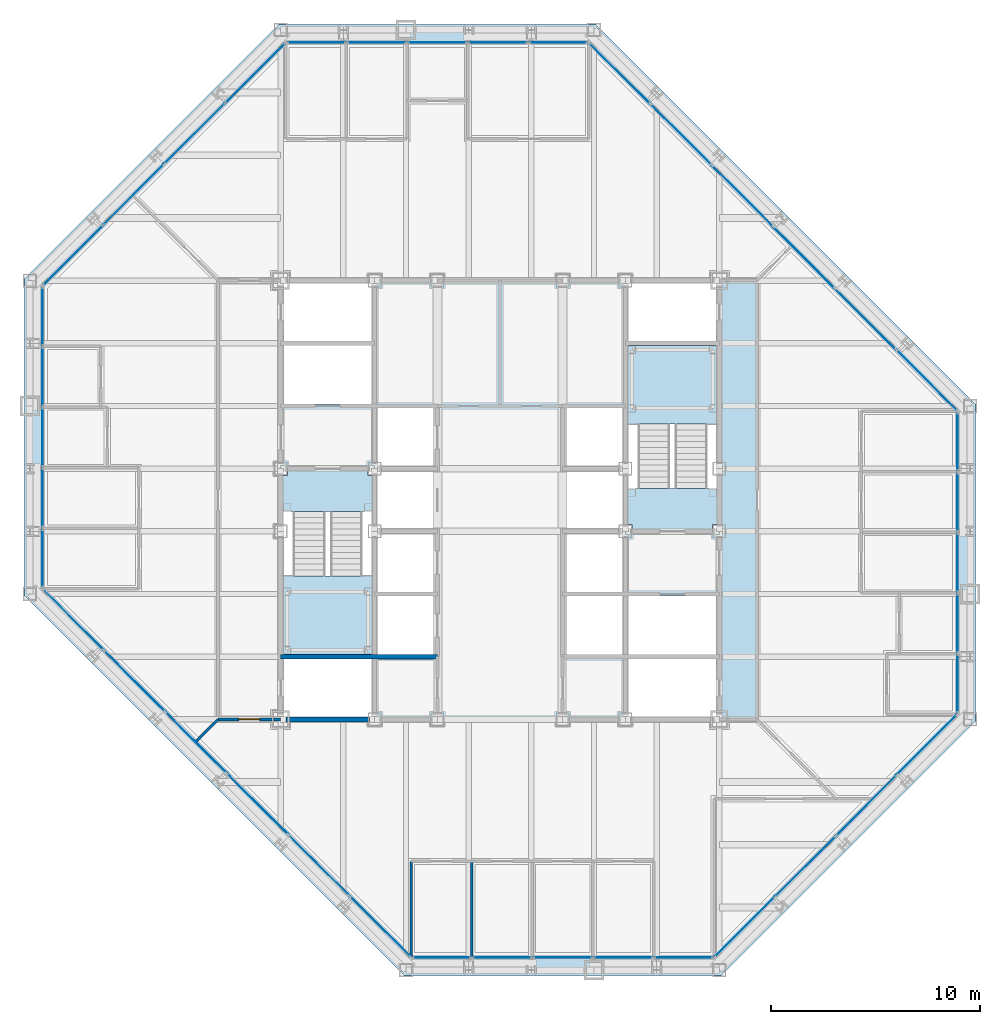
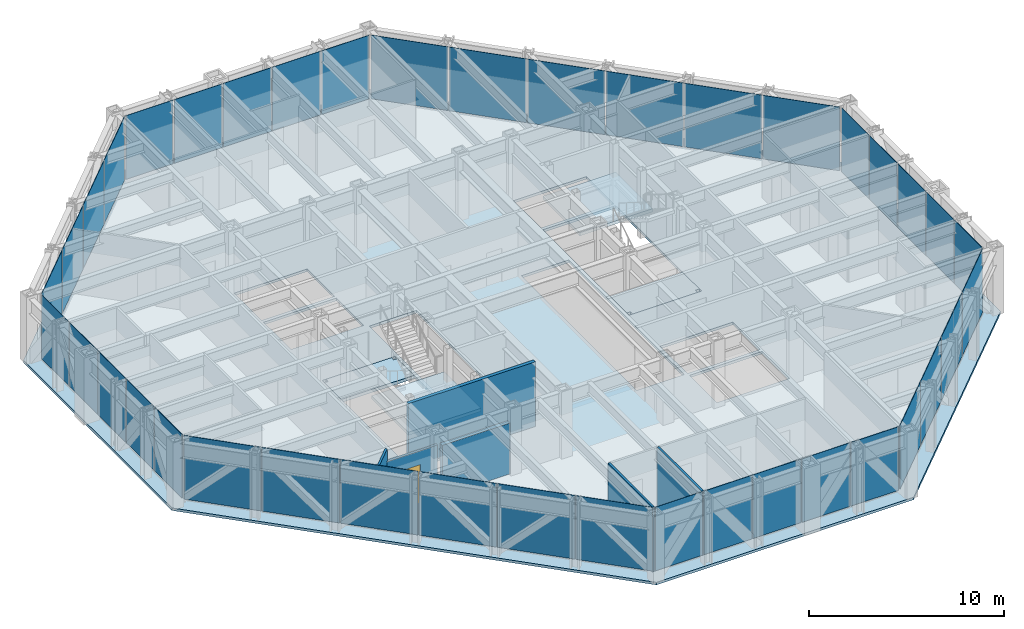
# One storey, part 9 of 15: 40 plates, 6 walls, 5 slabs, 1 door, 1 opening, 10 elements without a shape of their own.
"""IFC4 building model written with IfcOpenShell, lengths in metres."""

import ifcopenshell
import ifcopenshell.guid

model = None  # the IFC model being written
_history = None  # IfcOwnerHistory: only IFC2X3 demands one
_inside = {}  # id of a spatial element -> (the spatial element, [elements in it])
_under = {}  # id of a project, library or spatial element -> (it, [spatial elements below it])
_declared = {}  # id of a project -> (the project, [libraries it declares])
_typed = {}  # id of a type object -> (the type object, [elements of that type])
_made_of = {}  # id of a material, layer set ... -> (it, [elements and type objects made of it])


def new_model(schema):
    """Start an empty IFC model of exactly this schema.

    Asked for "IFC4X3", IfcOpenShell would pick the latest addendum, in which some entities
    have other attributes; the version numbers below select the first issue.
    IFC2X3 requires an IfcOwnerHistory on every rooted entity: one is made here for all.
    """
    global model, _history
    if schema == "IFC4X3":
        model = ifcopenshell.file(schema_version=(4, 3, 0, 0))
    else:
        model = ifcopenshell.file(schema=schema)
    _inside.clear()
    _under.clear()
    _declared.clear()
    _typed.clear()
    _made_of.clear()
    _history = None
    if model.schema == "IFC2X3":
        org = make("IfcOrganization", Name="unknown")
        user = make(
            "IfcPersonAndOrganization",
            ThePerson=make("IfcPerson", FamilyName="unknown"),
            TheOrganization=org,
        )
        app = make(
            "IfcApplication",
            ApplicationDeveloper=org,
            Version="unknown",
            ApplicationFullName="unknown",
            ApplicationIdentifier="unknown",
        )
        _history = make(
            "IfcOwnerHistory",
            OwningUser=user,
            OwningApplication=app,
            ChangeAction="ADDED",
            CreationDate=0,
        )
    return model


def make(cls, **values):
    """One entity of the class cls with the attributes given. An attribute that is None is left unset."""
    return model.create_entity(
        cls, **{name: value for name, value in values.items() if value is not None}
    )


def rooted(cls, **values):
    """An entity with a GlobalId (a new one), such as an element, a storey or a relation."""
    return make(cls, GlobalId=ifcopenshell.guid.new(), OwnerHistory=_history, **values)


def si_unit(unit_type, name, prefix=None):
    """IfcSIUnit, for example si_unit("LENGTHUNIT", "METRE", prefix="MILLI")."""
    return make("IfcSIUnit", UnitType=unit_type, Prefix=prefix, Name=name)


def assignment(units):
    """IfcUnitAssignment: the units of a project."""
    return None if units is None else make("IfcUnitAssignment", Units=units)


def point(xyz):
    """IfcCartesianPoint."""
    return None if xyz is None else make("IfcCartesianPoint", Coordinates=xyz)


def direction(xyz):
    """IfcDirection."""
    return None if xyz is None else make("IfcDirection", DirectionRatios=xyz)


def frame(location, z_axis=None, x_axis=None):
    """IfcAxis2Placement3D, a coordinate frame: its origin and axes. An axis left out is left unset."""
    return make(
        "IfcAxis2Placement3D",
        Location=point(location),
        Axis=direction(z_axis),
        RefDirection=direction(x_axis),
    )


def frame_2d(location, x_axis=None):
    """IfcAxis2Placement2D, a coordinate frame in the plane: its origin and x axis."""
    return make(
        "IfcAxis2Placement2D", Location=point(location), RefDirection=direction(x_axis)
    )


def origin():
    """The frame at (0, 0, 0) with its axes left unset."""
    return frame((0.0, 0.0, 0.0))


def origin_2d():
    """The frame at (0, 0) in the plane with its x axis left unset."""
    return frame_2d((0.0, 0.0))


def place(relative_to, where):
    """IfcLocalPlacement: puts the frame where relative to a parent placement (None: the world)."""
    return make(
        "IfcLocalPlacement", PlacementRelTo=relative_to, RelativePlacement=where
    )


def context(
    kind, dimensions, precision=None, world=None, true_north=None, identifier=None
):
    """IfcGeometricRepresentationContext, for example the 3D "Model" context."""
    return make(
        "IfcGeometricRepresentationContext",
        ContextIdentifier=identifier,
        ContextType=kind,
        CoordinateSpaceDimension=dimensions,
        Precision=precision,
        WorldCoordinateSystem=world,
        TrueNorth=true_north,
    )


def subcontext(parent, identifier, kind, view, scale=None):
    """IfcGeometricRepresentationSubContext, for example "Body" below "Model"."""
    return make(
        "IfcGeometricRepresentationSubContext",
        ContextIdentifier=identifier,
        ContextType=kind,
        ParentContext=parent,
        TargetScale=scale,
        TargetView=view,
    )


def project(units=None, contexts=None):
    """IfcProject with its units and contexts."""
    return rooted(
        "IfcProject",
        Name="project",
        RepresentationContexts=contexts,
        UnitsInContext=assignment(units),
    )


def spatial(cls, under=None, at=None, **own):
    """A site, building, storey or space (cls), placed at a placement, below another one or the project."""
    s = rooted(cls, ObjectPlacement=at, **own)
    if under is not None:
        _under.setdefault(under.id(), (under, []))[1].append(s)
    return s


def polyline(points):
    """IfcPolyline through the points."""
    return make("IfcPolyline", Points=[point(p) for p in points])


def profile(cls, at=None, kind="AREA", **sizes):
    """A parametric profile (cls). Its sizes go by their IFC names, for example OverallWidth=200.0."""
    return make(cls, ProfileType=kind, Position=at, **sizes)


def rectangle(**sizes):
    """IfcRectangleProfileDef."""
    return profile("IfcRectangleProfileDef", **sizes)


def outline(outer, holes=None, kind="AREA"):
    """IfcArbitraryClosedProfileDef: a profile drawn as a closed curve; with holes, ...WithVoids."""
    if holes is None:
        return make("IfcArbitraryClosedProfileDef", ProfileType=kind, OuterCurve=outer)
    return make(
        "IfcArbitraryProfileDefWithVoids",
        ProfileType=kind,
        OuterCurve=outer,
        InnerCurves=holes,
    )


def extrude(swept, where, along, depth):
    """IfcExtrudedAreaSolid: the profile swept, set in the frame where, extruded along a direction by depth."""
    return make(
        "IfcExtrudedAreaSolid",
        SweptArea=swept,
        Position=where,
        ExtrudedDirection=direction(along),
        Depth=depth,
    )


def shape(context_of_items, identifier, shape_type, items):
    """IfcShapeRepresentation: the items that make up one representation, for example the "Body"."""
    return make(
        "IfcShapeRepresentation",
        ContextOfItems=context_of_items,
        RepresentationIdentifier=identifier,
        RepresentationType=shape_type,
        Items=items,
    )


def material(Name=None, Category=None):
    """IfcMaterial."""
    return make("IfcMaterial", Name=Name, Category=Category)


def layer(
    of_material, thickness, ventilated=None, Name=None, Category=None, Priority=None
):
    """IfcMaterialLayer: one layer of a wall or slab, of a material (None: an air gap)."""
    return make(
        "IfcMaterialLayer",
        Material=of_material,
        LayerThickness=thickness,
        IsVentilated=ventilated,
        Name=Name,
        Category=Category,
        Priority=Priority,
    )


def layer_set(layers, Name=None):
    """IfcMaterialLayerSet."""
    return make("IfcMaterialLayerSet", MaterialLayers=layers, LayerSetName=Name)


def made_of(thing, what):
    """Note that an element or type object is made of a material, layer set ...; save() writes the relation."""
    if what is not None:
        _made_of.setdefault(what.id(), (what, []))[1].append(thing)
    return thing


def type_object(cls, material=None, **own):
    """A type object (cls), such as IfcWallType, which elements share."""
    return made_of(rooted(cls, **own), material)


def element(
    cls,
    number,
    at=None,
    inside=None,
    cuts=None,
    type_object=None,
    material=None,
    context=None,
    identifier="Body",
    shape_type=None,
    held_by="IfcProductDefinitionShape",
    body=None,
    shapes=None,
    **own,
):
    """One element of the class cls, such as IfcWall. Its Tag is "e" and its number.

    at: its placement. inside: the storey or other place that contains it. cuts: it is an
    opening in that element (IfcRelVoidsElement). A single representation is given by context,
    identifier, shape_type and body (its items); several are given by shapes. held_by: the class
    of the entity that holds the representations. save() writes the other relations.
    """
    e = rooted(cls, Tag="e%d" % number, ObjectPlacement=at, **own)
    if body is not None:
        shapes = [shape(context, identifier, shape_type, body)]
    if shapes is not None:
        e.Representation = make(held_by, Representations=shapes)
    if inside is not None:
        _inside.setdefault(inside.id(), (inside, []))[1].append(e)
    if cuts is not None:
        rooted(
            "IfcRelVoidsElement", RelatingBuildingElement=cuts, RelatedOpeningElement=e
        )
    if type_object is not None:
        _typed.setdefault(type_object.id(), (type_object, []))[1].append(e)
    return made_of(e, material)


def fill(opening, filler):
    """IfcRelFillsElement: the door or window that sits in an opening."""
    return rooted(
        "IfcRelFillsElement",
        RelatingOpeningElement=opening,
        RelatedBuildingElement=filler,
    )


def aggregate(whole, parts):
    """IfcRelAggregates: a whole, such as a stair, and the parts it consists of."""
    return rooted("IfcRelAggregates", RelatingObject=whole, RelatedObjects=parts)


def save(model, path):
    """Write the relations noted so far, then the file.

    IfcRelAggregates (storeys below a building ...), IfcRelContainedInSpatialStructure (elements
    in a storey), IfcRelDefinesByType, IfcRelAssociatesMaterial and IfcRelDeclares: one each for
    every whole, place, type object, material and project.
    """
    for whole, parts in _under.values():
        aggregate(whole, parts)
    for where, things in _inside.values():
        rooted(
            "IfcRelContainedInSpatialStructure",
            RelatedElements=things,
            RelatingStructure=where,
        )
    for kind, things in _typed.values():
        rooted("IfcRelDefinesByType", RelatedObjects=things, RelatingType=kind)
    for what, things in _made_of.values():
        rooted("IfcRelAssociatesMaterial", RelatedObjects=things, RelatingMaterial=what)
    for by, libraries in _declared.values():
        rooted("IfcRelDeclares", RelatingContext=by, RelatedDefinitions=libraries)
    model.write(path)


model = new_model("IFC4")

# Units and contexts
model_context = context("Model", 3, precision=1e-05, world=origin(), true_north=direction((0.0, 1.0)))
body_context = subcontext(model_context, "Body", "Model", "MODEL_VIEW")
ifc_project = project(units=[si_unit("LENGTHUNIT", "METRE"), si_unit("AREAUNIT", "SQUARE_METRE"), si_unit("VOLUMEUNIT", "CUBIC_METRE"), si_unit("PLANEANGLEUNIT", "RADIAN"), si_unit("MASSUNIT", "GRAM", prefix="KILO")], contexts=[model_context])

# Site, building, storey
site_placement = place(None, origin())
site = spatial("IfcSite", under=ifc_project, at=site_placement, CompositionType="ELEMENT")
building_placement = place(site_placement, origin())
building = spatial("IfcBuilding", under=site, at=building_placement, Name="Chuquiago Exchange Tower", CompositionType="ELEMENT")
storey_placement = place(building_placement, frame((0.0, 0.0, 184.5)))
storey = spatial("IfcBuildingStorey", under=building, at=storey_placement, Name="L40", CompositionType="ELEMENT", Elevation=184.5)

# Curtain wall, plate
ifc_material_1 = material(Name="Aluminium curtain wall system", Category="aluminium")
ifc_layer_1 = layer(ifc_material_1, 0.22509765625)
ifc_layer_set_1 = layer_set([ifc_layer_1], Name="CW2 office curtain wall")
curtain_wall_type_1 = type_object("IfcCurtainWallType", Name="CW2 office curtain wall", PredefinedType="NOTDEFINED", material=ifc_layer_set_1)
curtain_wall_1_placement = place(storey_placement, origin())
curtain_wall_1 = element("IfcCurtainWall", 1, at=curtain_wall_1_placement, inside=storey, type_object=curtain_wall_type_1, Name="CW2 curtain wall L40", PredefinedType="NOTDEFINED")
ifc_material_2 = material(Name="Glass, insulating unit", Category="glass")
ifc_layer_2 = layer(ifc_material_2, 0.030029296875)
ifc_layer_set_2 = layer_set([ifc_layer_2], Name="CW2-P panel 30")
plate_type_1 = type_object("IfcPlateType", Name="CW2-P panel 30", PredefinedType="CURTAIN_PANEL", material=ifc_layer_set_2)
plate_1_placement = place(storey_placement, frame((25.5, 0.60009765625, 0.06494140625), z_axis=(0.0, 0.0, 1.0), x_axis=(1.0, 0.0, 0.0)))
plate_1 = element("IfcPlate", 2, at=plate_1_placement, type_object=plate_type_1, Name="CW2 panel 3.1", PredefinedType="CURTAIN_PANEL", context=body_context, shape_type="SweptSolid", body=[
    extrude(rectangle(XDim=2.835693359375, YDim=0.030029296875, at=origin_2d()), origin(), (0.0, 0.0, 1.0), 3.97509765625),
])

curtain_wall_2_placement = place(storey_placement, origin())
curtain_wall_2 = element("IfcCurtainWall", 3, at=curtain_wall_2_placement, inside=storey, type_object=curtain_wall_type_1, Name="CW2 curtain wall L40", PredefinedType="NOTDEFINED")
plate_2_placement = place(storey_placement, frame((44.39990234375, 19.5, 0.06494140625), z_axis=(0.0, 0.0, 1.0), x_axis=(0.0, 1.0, 0.0)))
plate_2 = element("IfcPlate", 4, at=plate_2_placement, type_object=plate_type_1, Name="CW2 panel 3.1", PredefinedType="CURTAIN_PANEL", context=body_context, shape_type="SweptSolid", body=[
    extrude(rectangle(XDim=2.835693359375, YDim=0.030029296875, at=origin_2d()), origin(), (0.0, 0.0, 1.0), 3.97509765625),
])

curtain_wall_3_placement = place(storey_placement, origin())
curtain_wall_3 = element("IfcCurtainWall", 5, at=curtain_wall_3_placement, inside=storey, type_object=curtain_wall_type_1, Name="CW2 curtain wall L40", PredefinedType="NOTDEFINED")
plate_3_placement = place(storey_placement, frame((19.5, 44.39990234375, 0.06494140625), z_axis=(0.0, 0.0, 1.0), x_axis=(-1.0, 0.0, 0.0)))
plate_3 = element("IfcPlate", 6, at=plate_3_placement, type_object=plate_type_1, Name="CW2 panel 3.1", PredefinedType="CURTAIN_PANEL", context=body_context, shape_type="SweptSolid", body=[
    extrude(rectangle(XDim=2.835693359375, YDim=0.030029296875, at=origin_2d()), origin(), (0.0, 0.0, 1.0), 3.97509765625),
])

curtain_wall_4_placement = place(storey_placement, origin())
curtain_wall_4 = element("IfcCurtainWall", 7, at=curtain_wall_4_placement, inside=storey, type_object=curtain_wall_type_1, Name="CW2 curtain wall L40", PredefinedType="NOTDEFINED")
plate_4_placement = place(storey_placement, frame((0.60009765625, 25.5, 0.06494140625), z_axis=(0.0, 0.0, 1.0), x_axis=(0.0, -1.0, 0.0)))
plate_4 = element("IfcPlate", 8, at=plate_4_placement, type_object=plate_type_1, Name="CW2 panel 3.1", PredefinedType="CURTAIN_PANEL", context=body_context, shape_type="SweptSolid", body=[
    extrude(rectangle(XDim=2.835693359375, YDim=0.030029296875, at=origin_2d()), origin(), (0.0, 0.0, 1.0), 3.97509765625),
])

# Plate
ifc_material_3 = material(Name="Insulated spandrel panel, pale anodised aluminium", Category="aluminium")
ifc_layer_3 = layer(ifc_material_3, 0.030029296875)
ifc_layer_set_3 = layer_set([ifc_layer_3], Name="CW2-P spandrel panel 30")
plate_type_2 = type_object("IfcPlateType", Name="CW2-P spandrel panel 30", PredefinedType="CURTAIN_PANEL", material=ifc_layer_set_3)
plate_5_placement = place(storey_placement, frame((19.715087890625, 0.60009765625, 0.06494140625), z_axis=(0.0, 0.0, 1.0), x_axis=(1.0, 0.0, 0.0)))
plate_5 = element("IfcPlate", 9, at=plate_5_placement, type_object=plate_type_2, Name="CW2 panel 1.1", PredefinedType="CURTAIN_PANEL", context=body_context, shape_type="SweptSolid", body=[
    extrude(rectangle(XDim=2.802978515625, YDim=0.030029296875, at=origin_2d()), origin(), (0.0, 0.0, 1.0), 3.97509765625),
])

plate_6_placement = place(storey_placement, frame((22.599365234375, 0.60009765625, 0.06494140625), z_axis=(0.0, 0.0, 1.0), x_axis=(1.0, 0.0, 0.0)))
plate_6 = element("IfcPlate", 10, at=plate_6_placement, type_object=plate_type_2, Name="CW2 panel 2.1", PredefinedType="CURTAIN_PANEL", context=body_context, shape_type="SweptSolid", body=[
    extrude(rectangle(XDim=2.835693359375, YDim=0.030029296875, at=origin_2d()), origin(), (0.0, 0.0, 1.0), 3.97509765625),
])

plate_7_placement = place(storey_placement, frame((28.400634765625, 0.60009765625, 0.06494140625), z_axis=(0.0, 0.0, 1.0), x_axis=(1.0, 0.0, 0.0)))
plate_7 = element("IfcPlate", 11, at=plate_7_placement, type_object=plate_type_2, Name="CW2 panel 4.1", PredefinedType="CURTAIN_PANEL", context=body_context, shape_type="SweptSolid", body=[
    extrude(rectangle(XDim=2.835693359375, YDim=0.030029296875, at=origin_2d()), origin(), (0.0, 0.0, 1.0), 3.97509765625),
])

plate_8_placement = place(storey_placement, frame((31.284912109375, 0.60009765625, 0.06494140625), z_axis=(0.0, 0.0, 1.0), x_axis=(1.0, 0.0, 0.0)))
plate_8 = element("IfcPlate", 12, at=plate_8_placement, type_object=plate_type_2, Name="CW2 panel 5.1", PredefinedType="CURTAIN_PANEL", context=body_context, shape_type="SweptSolid", body=[
    extrude(rectangle(XDim=2.802978515625, YDim=0.030029296875, at=origin_2d()), origin(), (0.0, 0.0, 1.0), 3.97509765625),
])

aggregate(curtain_wall_1, [plate_5, plate_6, plate_1, plate_7, plate_8])

plate_9_placement = place(storey_placement, frame((44.39990234375, 13.715087890625, 0.06494140625), z_axis=(0.0, 0.0, 1.0), x_axis=(0.0, 1.0, 0.0)))
plate_9 = element("IfcPlate", 13, at=plate_9_placement, type_object=plate_type_2, Name="CW2 panel 1.1", PredefinedType="CURTAIN_PANEL", context=body_context, shape_type="SweptSolid", body=[
    extrude(rectangle(XDim=2.802978515625, YDim=0.030029296875, at=origin_2d()), origin(), (0.0, 0.0, 1.0), 3.97509765625),
])

plate_10_placement = place(storey_placement, frame((44.39990234375, 16.599365234375, 0.06494140625), z_axis=(0.0, 0.0, 1.0), x_axis=(0.0, 1.0, 0.0)))
plate_10 = element("IfcPlate", 14, at=plate_10_placement, type_object=plate_type_2, Name="CW2 panel 2.1", PredefinedType="CURTAIN_PANEL", context=body_context, shape_type="SweptSolid", body=[
    extrude(rectangle(XDim=2.835693359375, YDim=0.030029296875, at=origin_2d()), origin(), (0.0, 0.0, 1.0), 3.97509765625),
])

plate_11_placement = place(storey_placement, frame((44.39990234375, 22.400634765625, 0.06494140625), z_axis=(0.0, 0.0, 1.0), x_axis=(0.0, 1.0, 0.0)))
plate_11 = element("IfcPlate", 15, at=plate_11_placement, type_object=plate_type_2, Name="CW2 panel 4.1", PredefinedType="CURTAIN_PANEL", context=body_context, shape_type="SweptSolid", body=[
    extrude(rectangle(XDim=2.835693359375, YDim=0.030029296875, at=origin_2d()), origin(), (0.0, 0.0, 1.0), 3.97509765625),
])

plate_12_placement = place(storey_placement, frame((44.39990234375, 25.284912109375, 0.06494140625), z_axis=(0.0, 0.0, 1.0), x_axis=(0.0, 1.0, 0.0)))
plate_12 = element("IfcPlate", 16, at=plate_12_placement, type_object=plate_type_2, Name="CW2 panel 5.1", PredefinedType="CURTAIN_PANEL", context=body_context, shape_type="SweptSolid", body=[
    extrude(rectangle(XDim=2.802978515625, YDim=0.030029296875, at=origin_2d()), origin(), (0.0, 0.0, 1.0), 3.97509765625),
])

aggregate(curtain_wall_2, [plate_9, plate_10, plate_2, plate_11, plate_12])

plate_13_placement = place(storey_placement, frame((25.284912109375, 44.39990234375, 0.06494140625), z_axis=(0.0, 0.0, 1.0), x_axis=(-1.0, 0.0, 0.0)))
plate_13 = element("IfcPlate", 17, at=plate_13_placement, type_object=plate_type_2, Name="CW2 panel 1.1", PredefinedType="CURTAIN_PANEL", context=body_context, shape_type="SweptSolid", body=[
    extrude(rectangle(XDim=2.802978515625, YDim=0.030029296875, at=origin_2d()), origin(), (0.0, 0.0, 1.0), 3.97509765625),
])

plate_14_placement = place(storey_placement, frame((22.400634765625, 44.39990234375, 0.06494140625), z_axis=(0.0, 0.0, 1.0), x_axis=(-1.0, 0.0, 0.0)))
plate_14 = element("IfcPlate", 18, at=plate_14_placement, type_object=plate_type_2, Name="CW2 panel 2.1", PredefinedType="CURTAIN_PANEL", context=body_context, shape_type="SweptSolid", body=[
    extrude(rectangle(XDim=2.835693359375, YDim=0.030029296875, at=origin_2d()), origin(), (0.0, 0.0, 1.0), 3.97509765625),
])

plate_15_placement = place(storey_placement, frame((16.599365234375, 44.39990234375, 0.06494140625), z_axis=(0.0, 0.0, 1.0), x_axis=(-1.0, 0.0, 0.0)))
plate_15 = element("IfcPlate", 19, at=plate_15_placement, type_object=plate_type_2, Name="CW2 panel 4.1", PredefinedType="CURTAIN_PANEL", context=body_context, shape_type="SweptSolid", body=[
    extrude(rectangle(XDim=2.835693359375, YDim=0.030029296875, at=origin_2d()), origin(), (0.0, 0.0, 1.0), 3.97509765625),
])

plate_16_placement = place(storey_placement, frame((13.715087890625, 44.39990234375, 0.06494140625), z_axis=(0.0, 0.0, 1.0), x_axis=(-1.0, 0.0, 0.0)))
plate_16 = element("IfcPlate", 20, at=plate_16_placement, type_object=plate_type_2, Name="CW2 panel 5.1", PredefinedType="CURTAIN_PANEL", context=body_context, shape_type="SweptSolid", body=[
    extrude(rectangle(XDim=2.802978515625, YDim=0.030029296875, at=origin_2d()), origin(), (0.0, 0.0, 1.0), 3.97509765625),
])

aggregate(curtain_wall_3, [plate_13, plate_14, plate_3, plate_15, plate_16])

plate_17_placement = place(storey_placement, frame((0.60009765625, 31.284912109375, 0.06494140625), z_axis=(0.0, 0.0, 1.0), x_axis=(0.0, -1.0, 0.0)))
plate_17 = element("IfcPlate", 21, at=plate_17_placement, type_object=plate_type_2, Name="CW2 panel 1.1", PredefinedType="CURTAIN_PANEL", context=body_context, shape_type="SweptSolid", body=[
    extrude(rectangle(XDim=2.802978515625, YDim=0.030029296875, at=origin_2d()), origin(), (0.0, 0.0, 1.0), 3.97509765625),
])

plate_18_placement = place(storey_placement, frame((0.60009765625, 28.400634765625, 0.06494140625), z_axis=(0.0, 0.0, 1.0), x_axis=(0.0, -1.0, 0.0)))
plate_18 = element("IfcPlate", 22, at=plate_18_placement, type_object=plate_type_2, Name="CW2 panel 2.1", PredefinedType="CURTAIN_PANEL", context=body_context, shape_type="SweptSolid", body=[
    extrude(rectangle(XDim=2.835693359375, YDim=0.030029296875, at=origin_2d()), origin(), (0.0, 0.0, 1.0), 3.97509765625),
])

plate_19_placement = place(storey_placement, frame((0.60009765625, 22.599365234375, 0.06494140625), z_axis=(0.0, 0.0, 1.0), x_axis=(0.0, -1.0, 0.0)))
plate_19 = element("IfcPlate", 23, at=plate_19_placement, type_object=plate_type_2, Name="CW2 panel 4.1", PredefinedType="CURTAIN_PANEL", context=body_context, shape_type="SweptSolid", body=[
    extrude(rectangle(XDim=2.835693359375, YDim=0.030029296875, at=origin_2d()), origin(), (0.0, 0.0, 1.0), 3.97509765625),
])

plate_20_placement = place(storey_placement, frame((0.60009765625, 19.715087890625, 0.06494140625), z_axis=(0.0, 0.0, 1.0), x_axis=(0.0, -1.0, 0.0)))
plate_20 = element("IfcPlate", 24, at=plate_20_placement, type_object=plate_type_2, Name="CW2 panel 5.1", PredefinedType="CURTAIN_PANEL", context=body_context, shape_type="SweptSolid", body=[
    extrude(rectangle(XDim=2.802978515625, YDim=0.030029296875, at=origin_2d()), origin(), (0.0, 0.0, 1.0), 3.97509765625),
])

aggregate(curtain_wall_4, [plate_17, plate_18, plate_4, plate_19, plate_20])

# Curtain wall, plates
ifc_material_4 = material(Name="Aluminium curtain wall system", Category="aluminium")
ifc_layer_4 = layer(ifc_material_4, 0.199951171875)
ifc_layer_set_4 = layer_set([ifc_layer_4], Name="CW3 facet curtain wall")
curtain_wall_type_2 = type_object("IfcCurtainWallType", Name="CW3 facet curtain wall", PredefinedType="NOTDEFINED", material=ifc_layer_set_4)
curtain_wall_5_placement = place(storey_placement, origin())
curtain_wall_5 = element("IfcCurtainWall", 25, at=curtain_wall_5_placement, inside=storey, type_object=curtain_wall_type_2, Name="CW3 curtain wall L40", PredefinedType="NOTDEFINED")
ifc_material_5 = material(Name="Insulated spandrel panel, pale anodised aluminium", Category="aluminium")
ifc_layer_5 = layer(ifc_material_5, 0.030029296875)
ifc_layer_set_5 = layer_set([ifc_layer_5], Name="CW3-P spandrel panel 30")
plate_type_3 = type_object("IfcPlateType", Name="CW3-P spandrel panel 30", PredefinedType="CURTAIN_PANEL", material=ifc_layer_set_5)
plate_21_placement = place(storey_placement, frame((34.218994140625, 2.067626953125, 0.06494140625), z_axis=(0.0, 0.0, 1.0), x_axis=(0.707106781187, 0.707106781187, 0.0)))
plate_21 = element("IfcPlate", 26, at=plate_21_placement, type_object=plate_type_3, Name="CW3 panel 1.1", PredefinedType="CURTAIN_PANEL", context=body_context, shape_type="SweptSolid", body=[
    extrude(rectangle(XDim=4.020751953125, YDim=0.030029296875, at=origin_2d()), origin(), (0.0, 0.0, 1.0), 3.97509765625),
])
plate_22_placement = place(storey_placement, frame((37.11962890625, 4.96826171875, 0.06494140625), z_axis=(0.0, 0.0, 1.0), x_axis=(0.707106781187, 0.707106781187, 0.0)))
plate_22 = element("IfcPlate", 27, at=plate_22_placement, type_object=plate_type_3, Name="CW3 panel 2.1", PredefinedType="CURTAIN_PANEL", context=body_context, shape_type="SweptSolid", body=[
    extrude(rectangle(XDim=4.053466796875, YDim=0.030029296875, at=origin_2d()), origin(), (0.0, 0.0, 1.0), 3.97509765625),
])
plate_23_placement = place(storey_placement, frame((40.03173828125, 7.88037109375, 0.06494140625), z_axis=(0.0, 0.0, 1.0), x_axis=(0.707106781187, 0.707106781187, 0.0)))
plate_23 = element("IfcPlate", 28, at=plate_23_placement, type_object=plate_type_3, Name="CW3 panel 3.1", PredefinedType="CURTAIN_PANEL", context=body_context, shape_type="SweptSolid", body=[
    extrude(rectangle(XDim=4.053466796875, YDim=0.030029296875, at=origin_2d()), origin(), (0.0, 0.0, 1.0), 3.97509765625),
])
plate_24_placement = place(storey_placement, frame((42.932373046875, 10.781005859375, 0.06494140625), z_axis=(0.0, 0.0, 1.0), x_axis=(0.707106781187, 0.707106781187, 0.0)))
plate_24 = element("IfcPlate", 29, at=plate_24_placement, type_object=plate_type_3, Name="CW3 panel 4.1", PredefinedType="CURTAIN_PANEL", context=body_context, shape_type="SweptSolid", body=[
    extrude(rectangle(XDim=4.020751953125, YDim=0.030029296875, at=origin_2d()), origin(), (0.0, 0.0, 1.0), 3.97509765625),
])
aggregate(curtain_wall_5, [plate_21, plate_22, plate_23, plate_24])

curtain_wall_6_placement = place(storey_placement, origin())
curtain_wall_6 = element("IfcCurtainWall", 30, at=curtain_wall_6_placement, inside=storey, type_object=curtain_wall_type_2, Name="CW3 curtain wall L40", PredefinedType="NOTDEFINED")
plate_25_placement = place(storey_placement, frame((42.917724609375, 28.233642578125, 0.06494140625), z_axis=(0.0, 0.0, 1.0), x_axis=(-0.707106781187, 0.707106781187, 0.0)))
plate_25 = element("IfcPlate", 31, at=plate_25_placement, type_object=plate_type_3, Name="CW3 panel 1.1", PredefinedType="CURTAIN_PANEL", context=body_context, shape_type="SweptSolid", body=[
    extrude(rectangle(XDim=4.062255859375, YDim=0.030029296875, at=origin_2d()), origin(), (0.0, 0.0, 1.0), 3.97509765625),
])
plate_26_placement = place(storey_placement, frame((39.98779296875, 31.16357421875, 0.06494140625), z_axis=(0.0, 0.0, 1.0), x_axis=(-0.707106781187, 0.707106781187, 0.0)))
plate_26 = element("IfcPlate", 32, at=plate_26_placement, type_object=plate_type_3, Name="CW3 panel 2.1", PredefinedType="CURTAIN_PANEL", context=body_context, shape_type="SweptSolid", body=[
    extrude(rectangle(XDim=4.0947265625, YDim=0.030029296875, at=origin_2d()), origin(), (0.0, 0.0, 1.0), 3.97509765625),
])
plate_27_placement = place(storey_placement, frame((37.04638671875, 34.10498046875, 0.06494140625), z_axis=(0.0, 0.0, 1.0), x_axis=(-0.707106781187, 0.707106781187, 0.0)))
plate_27 = element("IfcPlate", 33, at=plate_27_placement, type_object=plate_type_3, Name="CW3 panel 3.1", PredefinedType="CURTAIN_PANEL", context=body_context, shape_type="SweptSolid", body=[
    extrude(rectangle(XDim=4.0947265625, YDim=0.030029296875, at=origin_2d()), origin(), (0.0, 0.0, 1.0), 3.97509765625),
])
plate_28_placement = place(storey_placement, frame((34.10498046875, 37.04638671875, 0.06494140625), z_axis=(0.0, 0.0, 1.0), x_axis=(-0.707106781187, 0.707106781187, 0.0)))
plate_28 = element("IfcPlate", 34, at=plate_28_placement, type_object=plate_type_3, Name="CW3 panel 4.1", PredefinedType="CURTAIN_PANEL", context=body_context, shape_type="SweptSolid", body=[
    extrude(rectangle(XDim=4.0947265625, YDim=0.030029296875, at=origin_2d()), origin(), (0.0, 0.0, 1.0), 3.97509765625),
])
plate_29_placement = place(storey_placement, frame((31.16357421875, 39.98779296875, 0.06494140625), z_axis=(0.0, 0.0, 1.0), x_axis=(-0.707106781187, 0.707106781187, 0.0)))
plate_29 = element("IfcPlate", 35, at=plate_29_placement, type_object=plate_type_3, Name="CW3 panel 5.1", PredefinedType="CURTAIN_PANEL", context=body_context, shape_type="SweptSolid", body=[
    extrude(rectangle(XDim=4.0947265625, YDim=0.030029296875, at=origin_2d()), origin(), (0.0, 0.0, 1.0), 3.97509765625),
])
plate_30_placement = place(storey_placement, frame((28.233642578125, 42.917724609375, 0.06494140625), z_axis=(0.0, 0.0, 1.0), x_axis=(-0.707106781187, 0.707106781187, 0.0)))
plate_30 = element("IfcPlate", 36, at=plate_30_placement, type_object=plate_type_3, Name="CW3 panel 6.1", PredefinedType="CURTAIN_PANEL", context=body_context, shape_type="SweptSolid", body=[
    extrude(rectangle(XDim=4.062255859375, YDim=0.030029296875, at=origin_2d()), origin(), (0.0, 0.0, 1.0), 3.97509765625),
])
aggregate(curtain_wall_6, [plate_25, plate_26, plate_27, plate_28, plate_29, plate_30])

curtain_wall_7_placement = place(storey_placement, origin())
curtain_wall_7 = element("IfcCurtainWall", 37, at=curtain_wall_7_placement, inside=storey, type_object=curtain_wall_type_2, Name="CW3 curtain wall L40", PredefinedType="NOTDEFINED")
plate_31_placement = place(storey_placement, frame((10.781005859375, 42.932373046875, 0.06494140625), z_axis=(0.0, 0.0, 1.0), x_axis=(-0.707106781187, -0.707106781187, 0.0)))
plate_31 = element("IfcPlate", 38, at=plate_31_placement, type_object=plate_type_3, Name="CW3 panel 1.1", PredefinedType="CURTAIN_PANEL", context=body_context, shape_type="SweptSolid", body=[
    extrude(rectangle(XDim=4.020751953125, YDim=0.030029296875, at=origin_2d()), origin(), (0.0, 0.0, 1.0), 3.97509765625),
])
plate_32_placement = place(storey_placement, frame((7.88037109375, 40.03173828125, 0.06494140625), z_axis=(0.0, 0.0, 1.0), x_axis=(-0.707106781187, -0.707106781187, 0.0)))
plate_32 = element("IfcPlate", 39, at=plate_32_placement, type_object=plate_type_3, Name="CW3 panel 2.1", PredefinedType="CURTAIN_PANEL", context=body_context, shape_type="SweptSolid", body=[
    extrude(rectangle(XDim=4.053466796875, YDim=0.030029296875, at=origin_2d()), origin(), (0.0, 0.0, 1.0), 3.97509765625),
])
plate_33_placement = place(storey_placement, frame((4.96826171875, 37.11962890625, 0.06494140625), z_axis=(0.0, 0.0, 1.0), x_axis=(-0.707106781187, -0.707106781187, 0.0)))
plate_33 = element("IfcPlate", 40, at=plate_33_placement, type_object=plate_type_3, Name="CW3 panel 3.1", PredefinedType="CURTAIN_PANEL", context=body_context, shape_type="SweptSolid", body=[
    extrude(rectangle(XDim=4.053466796875, YDim=0.030029296875, at=origin_2d()), origin(), (0.0, 0.0, 1.0), 3.97509765625),
])
plate_34_placement = place(storey_placement, frame((2.067626953125, 34.218994140625, 0.06494140625), z_axis=(0.0, 0.0, 1.0), x_axis=(-0.707106781187, -0.707106781187, 0.0)))
plate_34 = element("IfcPlate", 41, at=plate_34_placement, type_object=plate_type_3, Name="CW3 panel 4.1", PredefinedType="CURTAIN_PANEL", context=body_context, shape_type="SweptSolid", body=[
    extrude(rectangle(XDim=4.020751953125, YDim=0.030029296875, at=origin_2d()), origin(), (0.0, 0.0, 1.0), 3.97509765625),
])
aggregate(curtain_wall_7, [plate_31, plate_32, plate_33, plate_34])

curtain_wall_8_placement = place(storey_placement, origin())
curtain_wall_8 = element("IfcCurtainWall", 42, at=curtain_wall_8_placement, inside=storey, type_object=curtain_wall_type_2, Name="CW3 curtain wall L40", PredefinedType="NOTDEFINED")
plate_35_placement = place(storey_placement, frame((2.082275390625, 16.766357421875, 0.06494140625), z_axis=(0.0, 0.0, 1.0), x_axis=(0.707106781187, -0.707106781187, 0.0)))
plate_35 = element("IfcPlate", 43, at=plate_35_placement, type_object=plate_type_3, Name="CW3 panel 1.1", PredefinedType="CURTAIN_PANEL", context=body_context, shape_type="SweptSolid", body=[
    extrude(rectangle(XDim=4.062255859375, YDim=0.030029296875, at=origin_2d()), origin(), (0.0, 0.0, 1.0), 3.97509765625),
])
plate_36_placement = place(storey_placement, frame((5.01220703125, 13.83642578125, 0.06494140625), z_axis=(0.0, 0.0, 1.0), x_axis=(0.707106781187, -0.707106781187, 0.0)))
plate_36 = element("IfcPlate", 44, at=plate_36_placement, type_object=plate_type_3, Name="CW3 panel 2.1", PredefinedType="CURTAIN_PANEL", context=body_context, shape_type="SweptSolid", body=[
    extrude(rectangle(XDim=4.0947265625, YDim=0.030029296875, at=origin_2d()), origin(), (0.0, 0.0, 1.0), 3.97509765625),
])
plate_37_placement = place(storey_placement, frame((7.95361328125, 10.89501953125, 0.06494140625), z_axis=(0.0, 0.0, 1.0), x_axis=(0.707106781187, -0.707106781187, 0.0)))
plate_37 = element("IfcPlate", 45, at=plate_37_placement, type_object=plate_type_3, Name="CW3 panel 3.1", PredefinedType="CURTAIN_PANEL", context=body_context, shape_type="SweptSolid", body=[
    extrude(rectangle(XDim=4.0947265625, YDim=0.030029296875, at=origin_2d()), origin(), (0.0, 0.0, 1.0), 3.97509765625),
])
plate_38_placement = place(storey_placement, frame((10.89501953125, 7.95361328125, 0.06494140625), z_axis=(0.0, 0.0, 1.0), x_axis=(0.707106781187, -0.707106781187, 0.0)))
plate_38 = element("IfcPlate", 46, at=plate_38_placement, type_object=plate_type_3, Name="CW3 panel 4.1", PredefinedType="CURTAIN_PANEL", context=body_context, shape_type="SweptSolid", body=[
    extrude(rectangle(XDim=4.0947265625, YDim=0.030029296875, at=origin_2d()), origin(), (0.0, 0.0, 1.0), 3.97509765625),
])
plate_39_placement = place(storey_placement, frame((13.83642578125, 5.01220703125, 0.06494140625), z_axis=(0.0, 0.0, 1.0), x_axis=(0.707106781187, -0.707106781187, 0.0)))
plate_39 = element("IfcPlate", 47, at=plate_39_placement, type_object=plate_type_3, Name="CW3 panel 5.1", PredefinedType="CURTAIN_PANEL", context=body_context, shape_type="SweptSolid", body=[
    extrude(rectangle(XDim=4.0947265625, YDim=0.030029296875, at=origin_2d()), origin(), (0.0, 0.0, 1.0), 3.97509765625),
])
plate_40_placement = place(storey_placement, frame((16.766357421875, 2.082275390625, 0.06494140625), z_axis=(0.0, 0.0, 1.0), x_axis=(0.707106781187, -0.707106781187, 0.0)))
plate_40 = element("IfcPlate", 48, at=plate_40_placement, type_object=plate_type_3, Name="CW3 panel 6.1", PredefinedType="CURTAIN_PANEL", context=body_context, shape_type="SweptSolid", body=[
    extrude(rectangle(XDim=4.062255859375, YDim=0.030029296875, at=origin_2d()), origin(), (0.0, 0.0, 1.0), 3.97509765625),
])
aggregate(curtain_wall_8, [plate_35, plate_36, plate_37, plate_38, plate_39, plate_40])

# Slab
ifc_material_6 = material(Name="Concrete C30/37", Category="concrete")
ifc_layer_6 = layer(ifc_material_6, 0.159912109375)
ifc_layer_set_6 = layer_set([ifc_layer_6], Name="FS1 composite floor 160")
slab_type_1 = type_object("IfcSlabType", Name="FS1 composite floor 160", PredefinedType="FLOOR", material=ifc_layer_set_6)
slab_1_placement = place(storey_placement, frame((0.0, 0.0, -0.159912109375)))
element("IfcSlab", 49, at=slab_1_placement, inside=storey, type_object=slab_type_1, Name="L40 floor slab", PredefinedType="FLOOR", context=body_context, shape_type="SweptSolid", body=[
    extrude(outline(polyline([(17.896484375, -0.25), (-0.25, 17.896484375), (-0.25, 33.103515625), (11.896484375, 45.25), (27.103515625, 45.25), (45.25, 27.103515625), (45.25, 11.896484375), (33.103515625, -0.25), (17.896484375, -0.25)]), holes=[polyline([(16.39990234375, 15.10009765625), (12.10009765625, 15.10009765625), (12.10009765625, 23.89990234375), (16.39990234375, 23.89990234375), (16.39990234375, 15.10009765625)]), polyline([(32.89990234375, 21.10009765625), (28.60009765625, 21.10009765625), (28.60009765625, 29.89990234375), (32.89990234375, 29.89990234375), (32.89990234375, 21.10009765625)]), polyline([(16.39990234375, 12.10009765625), (12.10009765625, 12.10009765625), (12.10009765625, 14.89990234375), (16.39990234375, 14.89990234375), (16.39990234375, 12.10009765625)]), polyline([(16.39990234375, 30.10009765625), (12.10009765625, 30.10009765625), (12.10009765625, 32.89990234375), (16.39990234375, 32.89990234375), (16.39990234375, 30.10009765625)]), polyline([(32.89990234375, 12.10009765625), (28.60009765625, 12.10009765625), (28.60009765625, 14.89990234375), (32.89990234375, 14.89990234375), (32.89990234375, 12.10009765625)]), polyline([(32.89990234375, 30.10009765625), (28.60009765625, 30.10009765625), (28.60009765625, 32.89990234375), (32.89990234375, 32.89990234375), (32.89990234375, 30.10009765625)]), polyline([(16.39990234375, 27.10009765625), (12.10009765625, 27.10009765625), (12.10009765625, 29.89990234375), (16.39990234375, 29.89990234375), (16.39990234375, 27.10009765625)]), polyline([(32.89990234375, 15.10009765625), (28.60009765625, 15.10009765625), (28.60009765625, 17.89990234375), (32.89990234375, 17.89990234375), (32.89990234375, 15.10009765625)]), polyline([(19.39990234375, 15.10009765625), (16.60009765625, 15.10009765625), (16.60009765625, 26.89990234375), (19.39990234375, 26.89990234375), (19.39990234375, 15.10009765625)]), polyline([(28.39990234375, 15.10009765625), (25.60009765625, 15.10009765625), (25.60009765625, 26.89990234375), (28.39990234375, 26.89990234375), (28.39990234375, 15.10009765625)])]), origin(), (0.0, 0.0, 1.0), 0.159912109375),
])

# Stair, slabs
ifc_material_7 = material(Name="Concrete C30/37, precast", Category="concrete")
stair_type_1 = type_object("IfcStairType", Name="ST1 half-turn stair 4200", PredefinedType="HALF_TURN_STAIR", material=ifc_material_7)
stair_1_placement = place(storey_placement, origin())
stair_1 = element("IfcStair", 50, at=stair_1_placement, inside=storey, type_object=stair_type_1, Name="Stair ST1 L40", PredefinedType="HALF_TURN_STAIR")
ifc_material_8 = material(Name="Concrete C30/37, precast", Category="concrete")
ifc_layer_7 = layer(ifc_material_8, 0.199951171875)
ifc_layer_set_7 = layer_set([ifc_layer_7], Name="ST-L landing 200")
slab_type_2 = type_object("IfcSlabType", Name="ST-L landing 200", PredefinedType="LANDING", material=ifc_layer_set_7)
slab_2_placement = place(storey_placement, frame((0.0, 0.0, -0.199951171875)))
slab_2 = element("IfcSlab", 51, at=slab_2_placement, type_object=slab_type_2, Name="ST1 landing 1", PredefinedType="LANDING", context=body_context, shape_type="SweptSolid", body=[
    extrude(outline(polyline([(12.324951171875, 23.89990234375), (16.175048828125, 23.89990234375), (16.175048828125, 23.675048828125), (16.39990234375, 23.675048828125), (16.39990234375, 21.949951171875), (12.10009765625, 21.949951171875), (12.10009765625, 23.675048828125), (12.324951171875, 23.675048828125), (12.324951171875, 23.89990234375)])), origin(), (0.0, 0.0, 1.0), 0.199951171875),
])
slab_3_placement = place(storey_placement, frame((0.0, 0.0, 1.89990234375)))
slab_3 = element("IfcSlab", 52, at=slab_3_placement, type_object=slab_type_2, Name="ST1 landing 2", PredefinedType="LANDING", context=body_context, shape_type="SweptSolid", body=[
    extrude(outline(polyline([(12.10009765625, 18.8701171875), (16.39990234375, 18.8701171875), (16.39990234375, 15.10009765625), (12.10009765625, 15.10009765625), (12.10009765625, 18.8701171875)])), origin(), (0.0, 0.0, 1.0), 0.2001953125),
])
aggregate(stair_1, [slab_2, slab_3])

ifc_material_9 = material(Name="Concrete C30/37, precast", Category="concrete")
stair_type_2 = type_object("IfcStairType", Name="ST2 half-turn stair 4200", PredefinedType="HALF_TURN_STAIR", material=ifc_material_9)
stair_2_placement = place(storey_placement, origin())
stair_2 = element("IfcStair", 53, at=stair_2_placement, inside=storey, type_object=stair_type_2, Name="Stair ST2 L40", PredefinedType="HALF_TURN_STAIR")
slab_4_placement = place(storey_placement, frame((0.0, 0.0, -0.199951171875)))
slab_4 = element("IfcSlab", 54, at=slab_4_placement, type_object=slab_type_2, Name="ST2 landing 1", PredefinedType="LANDING", context=body_context, shape_type="SweptSolid", body=[
    extrude(outline(polyline([(32.675048828125, 21.324951171875), (32.675048828125, 21.10009765625), (28.824951171875, 21.10009765625), (28.824951171875, 21.324951171875), (28.60009765625, 21.324951171875), (28.60009765625, 23.050048828125), (32.89990234375, 23.050048828125), (32.89990234375, 21.324951171875), (32.675048828125, 21.324951171875)])), origin(), (0.0, 0.0, 1.0), 0.199951171875),
])
slab_5_placement = place(storey_placement, frame((0.0, 0.0, 1.89990234375)))
slab_5 = element("IfcSlab", 55, at=slab_5_placement, type_object=slab_type_2, Name="ST2 landing 2", PredefinedType="LANDING", context=body_context, shape_type="SweptSolid", body=[
    extrude(outline(polyline([(28.60009765625, 29.89990234375), (32.89990234375, 29.89990234375), (32.89990234375, 26.1298828125), (28.60009765625, 26.1298828125), (28.60009765625, 29.89990234375)])), origin(), (0.0, 0.0, 1.0), 0.2001953125),
])
aggregate(stair_2, [slab_4, slab_5])

# Wall
ifc_material_10 = material(Name="Concrete masonry, fully grouted", Category="masonry")
ifc_layer_8 = layer(ifc_material_10, 0.25)
ifc_layer_set_8 = layer_set([ifc_layer_8], Name="W1 core wall 250")
wall_type_1 = type_object("IfcWallType", Name="W1 core wall 250", PredefinedType="SOLIDWALL", material=ifc_layer_set_8)
wall_1_placement = place(storey_placement, frame((12.25, 12.0, 0.0), z_axis=(0.0, 0.0, 1.0), x_axis=(1.0, 0.0, 0.0)))
element("IfcWall", 56, at=wall_1_placement, inside=storey, type_object=wall_type_1, Name="CW-L40-01-0", PredefinedType="SOLIDWALL", context=body_context, shape_type="SweptSolid", body=[
    extrude(rectangle(XDim=4.0, YDim=0.25, at=frame_2d((2.0, 0.0))), origin(), (0.0, 0.0, 1.0), 3.181396484375),
])

# Wall, opening, door
ifc_material_11 = material(Name="Gypsum board on steel studs, acoustic insulation", Category="steel")
ifc_layer_9 = layer(ifc_material_11, 0.14990234375)
ifc_layer_set_9 = layer_set([ifc_layer_9], Name="W11 corridor wall 150")
wall_type_2 = type_object("IfcWallType", Name="W11 corridor wall 150", PredefinedType="PARTITIONING", material=ifc_layer_set_9)
wall_2_placement = place(storey_placement, frame((9.0, 12.0, 0.0), z_axis=(0.0, 0.0, 1.0), x_axis=(1.0, 0.0, 0.0)))
wall_2 = element("IfcWall", 57, at=wall_2_placement, inside=storey, type_object=wall_type_2, Name="PW-L40-GWS0", PredefinedType="PARTITIONING", context=body_context, shape_type="SweptSolid", body=[
    extrude(rectangle(XDim=3.0, YDim=0.14990234375, at=frame_2d((1.5, 0.0))), origin(), (0.0, 0.0, 1.0), 3.2705078125),
])
opening_placement = place(wall_2_placement, frame((1.0, 0.0, 0.0)))
opening = element("IfcOpeningElement", 58, at=opening_placement, cuts=wall_2, Name="Opening L40-039", PredefinedType="OPENING", context=body_context, shape_type="SweptSolid", body=[
    extrude(rectangle(XDim=1.0, YDim=2.39990234375, at=frame_2d((0.5, 1.199951171875))), frame((0.0, 0.0849609375, 0.0), z_axis=(0.0, -1.0, 0.0), x_axis=(1.0, 0.0, 0.0)), (0.0, 0.0, 1.0), 0.169921875),
])
ifc_material_12 = material(Name="Timber door, laminate faced", Category="wood")
door_type = type_object("IfcDoorType", Name="D9 room door 1000x2400", OperationType="SINGLE_SWING_LEFT", PredefinedType="DOOR", material=ifc_material_12)
door_placement = place(opening_placement, frame((1.0, 0.0, 0.0), z_axis=(0.0, 0.0, 1.0), x_axis=(-1.0, 0.0, 0.0)))
door = element("IfcDoor", 59, at=door_placement, inside=storey, type_object=door_type, Name="Team area door", OperationType="SINGLE_SWING_LEFT", OverallHeight=2.39990234375, OverallWidth=1.0, PredefinedType="DOOR", context=body_context, shape_type="SweptSolid", body=[
    extrude(rectangle(XDim=1.0, YDim=2.39990234375, at=frame_2d((0.5, 1.199951171875))), frame((0.0, 0.02490234375, 0.0), z_axis=(0.0, -1.0, 0.0), x_axis=(1.0, 0.0, 0.0)), (0.0, 0.0, 1.0), 0.050048828125),
])
fill(opening, door)

# Walls
ifc_material_13 = material(Name="Concrete masonry, fully grouted", Category="masonry")
ifc_layer_10 = layer(ifc_material_13, 0.199951171875)
ifc_layer_set_10 = layer_set([ifc_layer_10], Name="W2 shaft wall 200")
wall_type_3 = type_object("IfcWallType", Name="W2 shaft wall 200", PredefinedType="SOLIDWALL", material=ifc_layer_set_10)
wall_3_placement = place(storey_placement, frame((12.0, 15.0, 0.0), z_axis=(0.0, 0.0, 1.0), x_axis=(1.0, 0.0, 0.0)))
element("IfcWall", 60, at=wall_3_placement, inside=storey, type_object=wall_type_3, Name="CW-L40-03-0", PredefinedType="SOLIDWALL", context=body_context, shape_type="SweptSolid", body=[
    extrude(rectangle(XDim=7.5, YDim=0.199951171875, at=frame_2d((3.75, 0.0))), origin(), (0.0, 0.0, 1.0), 4.0400390625),
])
ifc_material_14 = material(Name="Gypsum board on steel studs", Category="steel")
ifc_layer_11 = layer(ifc_material_14, 0.1201171875)
ifc_layer_set_11 = layer_set([ifc_layer_11], Name="W4 partition 120")
wall_type_4 = type_object("IfcWallType", Name="W4 partition 120", PredefinedType="PARTITIONING", material=ifc_layer_set_11)
wall_4_placement = place(storey_placement, frame((18.24853515625, 0.666015625, 0.0), z_axis=(0.0, 0.0, 1.0), x_axis=(0.0, 1.0, 0.0)))
element("IfcWall", 61, at=wall_4_placement, inside=storey, type_object=wall_type_4, Name="PW-L40-S01825", PredefinedType="PARTITIONING", context=body_context, shape_type="SweptSolid", body=[
    extrude(rectangle(XDim=4.533935546875, YDim=0.1201171875, at=frame_2d((2.26708984375, 0.0))), origin(), (0.0, 0.0, 1.0), 4.0400390625),
])
wall_5_placement = place(storey_placement, frame((21.149169921875, 0.652587890625, 0.0), z_axis=(0.0, 0.0, 1.0), x_axis=(0.0, 1.0, 0.0)))
element("IfcWall", 62, at=wall_5_placement, inside=storey, type_object=wall_type_4, Name="PW-L40-S02115", PredefinedType="PARTITIONING", context=body_context, shape_type="SweptSolid", body=[
    extrude(rectangle(XDim=4.54736328125, YDim=0.1201171875, at=frame_2d((2.273681640625, 0.0))), origin(), (0.0, 0.0, 1.0), 4.0400390625),
])
wall_6_placement = place(storey_placement, frame((9.0, 12.0, 0.0), z_axis=(0.0, 0.0, 1.0), x_axis=(-0.707106781187, -0.707106781187, 0.0)))
element("IfcWall", 63, at=wall_6_placement, inside=storey, type_object=wall_type_4, Name="PW-L40-QSW", PredefinedType="PARTITIONING", context=body_context, shape_type="SweptSolid", body=[
    extrude(rectangle(XDim=1.4892578125, YDim=0.1201171875, at=frame_2d((0.74462890625, 0.0))), origin(), (0.0, 0.0, 1.0), 4.0400390625),
])

save(model, "model.ifc")
